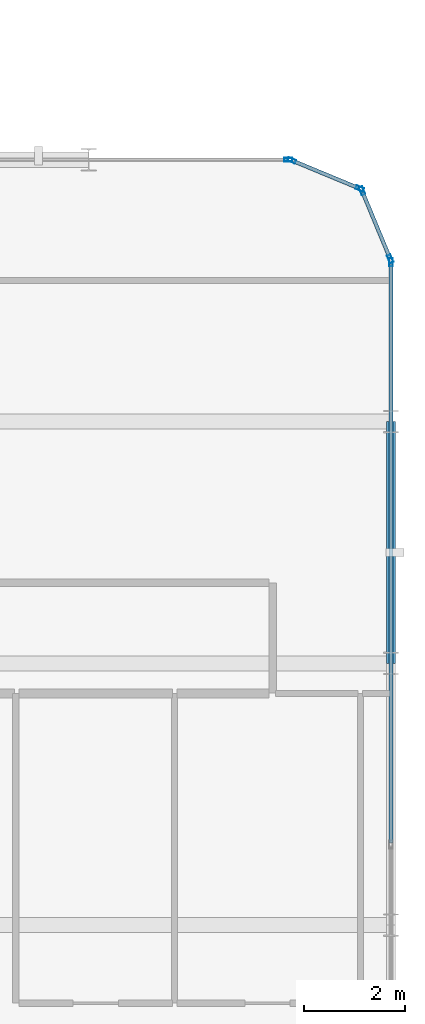
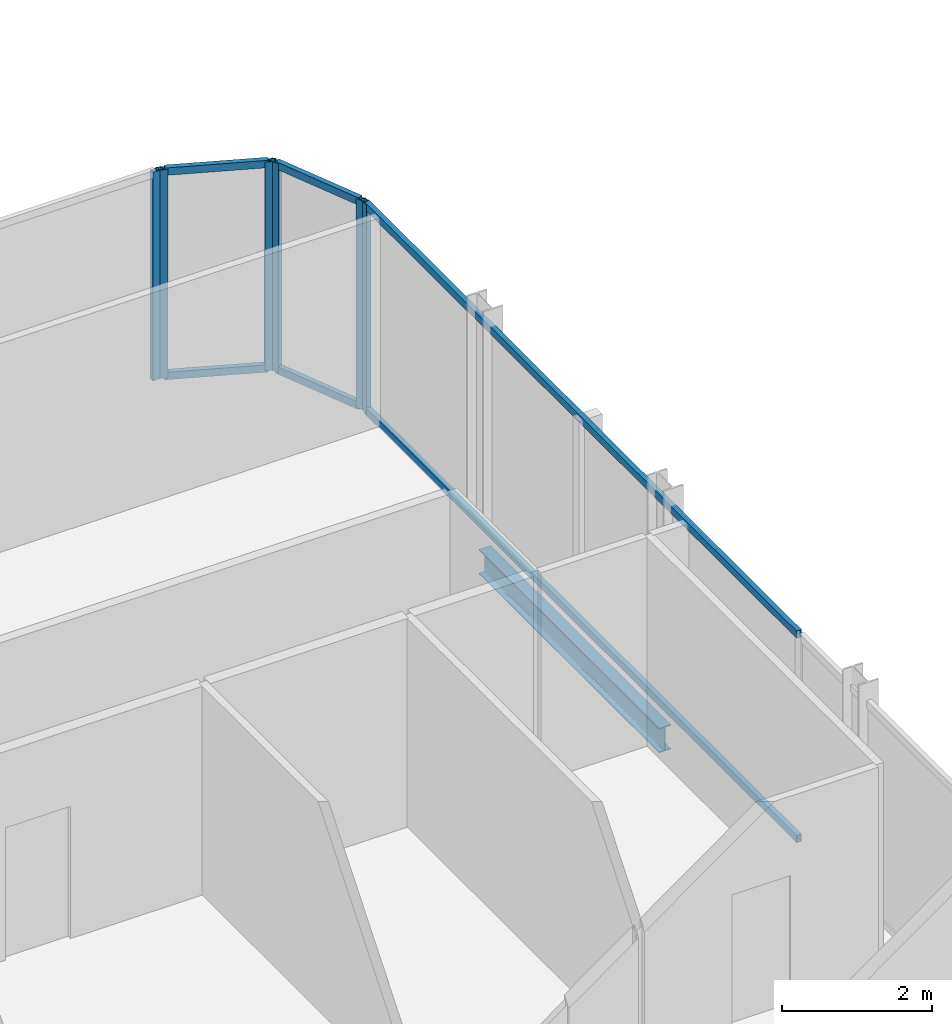
# One storey, part 15 of 29: 12 members, 1 beam, 4 elements without a shape of their own.
"""IFC4 building model written with IfcOpenShell, lengths in metres."""

from ifc_helpers import new_model, si_unit, direction, frame, origin, origin_2d, place, context, subcontext, project, spatial, hollow_rectangle, i_section, extrude, material, layer, layer_set, material_profile, profile_set, type_object, element, aggregate, save


model = new_model("IFC4")

# Units and contexts
model_context = context("Model", 3, precision=1e-05, world=origin(), true_north=direction((0.0, 1.0)))
body_context = subcontext(model_context, "Body", "Model", "MODEL_VIEW")
ifc_project = project(units=[si_unit("LENGTHUNIT", "METRE"), si_unit("AREAUNIT", "SQUARE_METRE"), si_unit("VOLUMEUNIT", "CUBIC_METRE"), si_unit("PLANEANGLEUNIT", "RADIAN"), si_unit("MASSUNIT", "GRAM", prefix="KILO")], contexts=[model_context])

# Site, building, storey
site_placement = place(None, origin())
site = spatial("IfcSite", under=ifc_project, at=site_placement, CompositionType="ELEMENT")
building_placement = place(site_placement, origin())
building = spatial("IfcBuilding", under=site, at=building_placement, Name="Keshet Zoharim Tower", CompositionType="ELEMENT")
storey_placement = place(building_placement, frame((0.0, 0.0, 172.800048828125)))
storey = spatial("IfcBuildingStorey", under=building, at=storey_placement, Name="L42", CompositionType="ELEMENT", Elevation=172.800048828125)

# Beam
ifc_material_1 = material(Name="Steel S355", Category="steel")
ifc_material_profile_1 = material_profile(ifc_material_1, i_section(OverallWidth=0.179931640625, OverallDepth=0.39990234375, WebThickness=0.008544921875, FlangeThickness=0.013427734375, FilletRadius=0.02099609375, at=origin_2d()), Name="IPE400")
ifc_profile_set_1 = profile_set([ifc_material_profile_1], Name="Steel S355")
beam_type = type_object("IfcBeamType", Name="BM-PRI-IP400", PredefinedType="BEAM", material=ifc_profile_set_1)
beam_placement = place(storey_placement, frame((57.0, 17.89990234375, -0.510009765625), z_axis=(0.0, 1.0, 0.0), x_axis=(-1.0, 0.0, 0.0)))
element("IfcBeam", 1, at=beam_placement, inside=storey, type_object=beam_type, Name="L42 Primary Girder Y-015", PredefinedType="BEAM", context=body_context, shape_type="SweptSolid", body=[
    extrude(i_section(OverallWidth=0.179931640625, OverallDepth=0.39990234375, WebThickness=0.008544921875, FlangeThickness=0.013427734375, FilletRadius=0.02099609375, at=origin_2d()), origin(), (0.0, 0.0, 1.0), 4.800048828125),
])

# Curtain wall, members
ifc_material_2 = material(Name="Aluminium 6063-T6", Category="aluminium")
ifc_layer = layer(ifc_material_2, 0.139892578125)
ifc_layer_set = layer_set([ifc_layer], Name="Aluminium 6063-T6")
curtain_wall_type = type_object("IfcCurtainWallType", Name="CW-SYS-05", PredefinedType="NOTDEFINED", material=ifc_layer_set)
curtain_wall_1_placement = place(storey_placement, origin())
curtain_wall_1 = element("IfcCurtainWall", 2, at=curtain_wall_1_placement, inside=storey, type_object=curtain_wall_type, Name="L42 Unitised Curtain Wall 01", PredefinedType="NOTDEFINED")
ifc_material_profile_2 = material_profile(ifc_material_2, hollow_rectangle(XDim=0.074951171875, YDim=0.159912109375, WallThickness=0.00390625, at=origin_2d()), Name="MUL-75x160")
ifc_profile_set_2 = profile_set([ifc_material_profile_2], Name="Aluminium 6063-T6")
member_type_1 = type_object("IfcMemberType", Name="CWM-M15", PredefinedType="MULLION", material=ifc_profile_set_2)
member_1_placement = place(storey_placement, frame((55.0322265625, 27.88671875, 0.0), z_axis=(0.0, 0.0, 1.0), x_axis=(0.382851849847, 0.92380975372, 0.0)))
member_1 = element("IfcMember", 3, at=member_1_placement, type_object=member_type_1, Name="CW-05 mullion 1", PredefinedType="MULLION", context=body_context, shape_type="SweptSolid", body=[
    extrude(hollow_rectangle(XDim=0.074951171875, YDim=0.159912109375, WallThickness=0.00390625, at=origin_2d()), origin(), (0.0, 0.0, 1.0), 3.389892578125),
])
member_2_placement = place(storey_placement, frame((56.381591796875, 27.327392578125, 0.0), z_axis=(0.0, 0.0, 1.0), x_axis=(0.382851849847, 0.92380975372, 0.0)))
member_2 = element("IfcMember", 4, at=member_2_placement, type_object=member_type_1, Name="CW-05 mullion 2", PredefinedType="MULLION", context=body_context, shape_type="SweptSolid", body=[
    extrude(hollow_rectangle(XDim=0.074951171875, YDim=0.159912109375, WallThickness=0.00390625, at=origin_2d()), origin(), (0.0, 0.0, 1.0), 3.389892578125),
])

curtain_wall_2_placement = place(storey_placement, origin())
curtain_wall_2 = element("IfcCurtainWall", 5, at=curtain_wall_2_placement, inside=storey, type_object=curtain_wall_type, Name="L42 Unitised Curtain Wall 02", PredefinedType="NOTDEFINED")
member_3_placement = place(storey_placement, frame((56.427490234375, 27.28173828125, 0.0), z_axis=(0.0, 0.0, 1.0), x_axis=(0.92380975372, 0.382851849847, 0.0)))
member_3 = element("IfcMember", 6, at=member_3_placement, type_object=member_type_1, Name="CW-05 mullion 1", PredefinedType="MULLION", context=body_context, shape_type="SweptSolid", body=[
    extrude(hollow_rectangle(XDim=0.074951171875, YDim=0.159912109375, WallThickness=0.00390625, at=origin_2d()), origin(), (0.0, 0.0, 1.0), 3.389892578125),
])
member_4_placement = place(storey_placement, frame((56.986572265625, 25.932373046875, 0.0), z_axis=(0.0, 0.0, 1.0), x_axis=(0.92380975372, 0.382851849847, 0.0)))
member_4 = element("IfcMember", 7, at=member_4_placement, type_object=member_type_1, Name="CW-05 mullion 2", PredefinedType="MULLION", context=body_context, shape_type="SweptSolid", body=[
    extrude(hollow_rectangle(XDim=0.074951171875, YDim=0.159912109375, WallThickness=0.00390625, at=origin_2d()), origin(), (0.0, 0.0, 1.0), 3.389892578125),
])

# Curtain wall, member
curtain_wall_3_placement = place(storey_placement, origin())
curtain_wall_3 = element("IfcCurtainWall", 8, at=curtain_wall_3_placement, inside=storey, type_object=curtain_wall_type, Name="L42 Unitised Curtain Wall 03", PredefinedType="NOTDEFINED")
member_5_placement = place(storey_placement, frame((57.0, 25.864990234375, 0.0), z_axis=(0.0, 0.0, 1.0), x_axis=(1.0, 0.0, 0.0)))
member_5 = element("IfcMember", 9, at=member_5_placement, type_object=member_type_1, Name="CW-05 mullion 1", PredefinedType="MULLION", context=body_context, shape_type="SweptSolid", body=[
    extrude(hollow_rectangle(XDim=0.074951171875, YDim=0.159912109375, WallThickness=0.00390625, at=origin_2d()), origin(), (0.0, 0.0, 1.0), 3.389892578125),
])

curtain_wall_4_placement = place(storey_placement, origin())
curtain_wall_4 = element("IfcCurtainWall", 10, at=curtain_wall_4_placement, inside=storey, type_object=curtain_wall_type, Name="L42 Unitised Curtain Wall 20 Part 2", PredefinedType="NOTDEFINED")
member_6_placement = place(storey_placement, frame((54.965087890625, 27.89990234375, 0.0), z_axis=(0.0, 0.0, 1.0), x_axis=(0.0, 1.0, 0.0)))
member_6 = element("IfcMember", 11, at=member_6_placement, type_object=member_type_1, Name="CW-05 mullion 2", PredefinedType="MULLION", context=body_context, shape_type="SweptSolid", body=[
    extrude(hollow_rectangle(XDim=0.074951171875, YDim=0.159912109375, WallThickness=0.00390625, at=origin_2d()), origin(), (0.0, 0.0, 1.0), 3.389892578125),
])
aggregate(curtain_wall_4, [member_6])

# Member
ifc_material_profile_3 = material_profile(ifc_material_2, hollow_rectangle(XDim=0.074951171875, YDim=0.1201171875, WallThickness=0.00390625, at=origin_2d()), Name="TRN-75x120")
ifc_profile_set_3 = profile_set([ifc_material_profile_3], Name="Aluminium 6063-T6")
member_type_2 = type_object("IfcMemberType", Name="CWT-T12", PredefinedType="USERDEFINED", material=ifc_profile_set_3)
member_7_placement = place(storey_placement, frame((55.064697265625, 27.873291015625, 0.034912109375), z_axis=(0.92379209995, -0.382894445076, 0.0), x_axis=(0.382894445076, 0.92379209995, 0.0)))
member_7 = element("IfcMember", 12, at=member_7_placement, type_object=member_type_2, Name="CW-05 transom 1.1", ObjectType="TRANSOM", PredefinedType="USERDEFINED", context=body_context, shape_type="SweptSolid", body=[
    extrude(hollow_rectangle(XDim=0.074951171875, YDim=0.1201171875, WallThickness=0.00390625, at=origin_2d()), origin(), (0.0, 0.0, 1.0), 1.390625),
])

member_8_placement = place(storey_placement, frame((55.064697265625, 27.873291015625, 3.35498046875), z_axis=(0.92379209995, -0.382894445076, 0.0), x_axis=(0.382894445076, 0.92379209995, 0.0)))
member_8 = element("IfcMember", 13, at=member_8_placement, type_object=member_type_2, Name="CW-05 transom 1.2", ObjectType="TRANSOM", PredefinedType="USERDEFINED", context=body_context, shape_type="SweptSolid", body=[
    extrude(hollow_rectangle(XDim=0.074951171875, YDim=0.1201171875, WallThickness=0.00390625, at=origin_2d()), origin(), (0.0, 0.0, 1.0), 1.390625),
])

aggregate(curtain_wall_1, [member_1, member_2, member_7, member_8])

member_9_placement = place(storey_placement, frame((56.44091796875, 27.249267578125, 0.034912109375), z_axis=(0.382744609247, -0.923854189844, 0.0), x_axis=(0.923854189844, 0.382744609247, 0.0)))
member_9 = element("IfcMember", 14, at=member_9_placement, type_object=member_type_2, Name="CW-05 transom 1.1", ObjectType="TRANSOM", PredefinedType="USERDEFINED", context=body_context, shape_type="SweptSolid", body=[
    extrude(hollow_rectangle(XDim=0.074951171875, YDim=0.1201171875, WallThickness=0.00390625, at=origin_2d()), origin(), (0.0, 0.0, 1.0), 1.390625),
])

member_10_placement = place(storey_placement, frame((56.44091796875, 27.249267578125, 3.35498046875), z_axis=(0.382744609247, -0.923854189844, 0.0), x_axis=(0.923854189844, 0.382744609247, 0.0)))
member_10 = element("IfcMember", 15, at=member_10_placement, type_object=member_type_2, Name="CW-05 transom 1.2", ObjectType="TRANSOM", PredefinedType="USERDEFINED", context=body_context, shape_type="SweptSolid", body=[
    extrude(hollow_rectangle(XDim=0.074951171875, YDim=0.1201171875, WallThickness=0.00390625, at=origin_2d()), origin(), (0.0, 0.0, 1.0), 1.390625),
])

aggregate(curtain_wall_2, [member_3, member_4, member_9, member_10])

member_11_placement = place(storey_placement, frame((57.0, 25.830078125, 0.034912109375), z_axis=(0.0, -1.0, 0.0), x_axis=(1.0, 0.0, 0.0)))
member_11 = element("IfcMember", 16, at=member_11_placement, type_object=member_type_2, Name="CW-05 transom 1.1", ObjectType="TRANSOM", PredefinedType="USERDEFINED", context=body_context, shape_type="SweptSolid", body=[
    extrude(hollow_rectangle(XDim=0.074951171875, YDim=0.1201171875, WallThickness=0.00390625, at=origin_2d()), origin(), (0.0, 0.0, 1.0), 11.4951171875),
])

member_12_placement = place(storey_placement, frame((57.0, 25.830078125, 3.35498046875), z_axis=(0.0, -1.0, 0.0), x_axis=(1.0, 0.0, 0.0)))
member_12 = element("IfcMember", 17, at=member_12_placement, type_object=member_type_2, Name="CW-05 transom 1.2", ObjectType="TRANSOM", PredefinedType="USERDEFINED", context=body_context, shape_type="SweptSolid", body=[
    extrude(hollow_rectangle(XDim=0.074951171875, YDim=0.1201171875, WallThickness=0.00390625, at=origin_2d()), origin(), (0.0, 0.0, 1.0), 11.4951171875),
])

aggregate(curtain_wall_3, [member_5, member_11, member_12])

save(model, "model.ifc")
